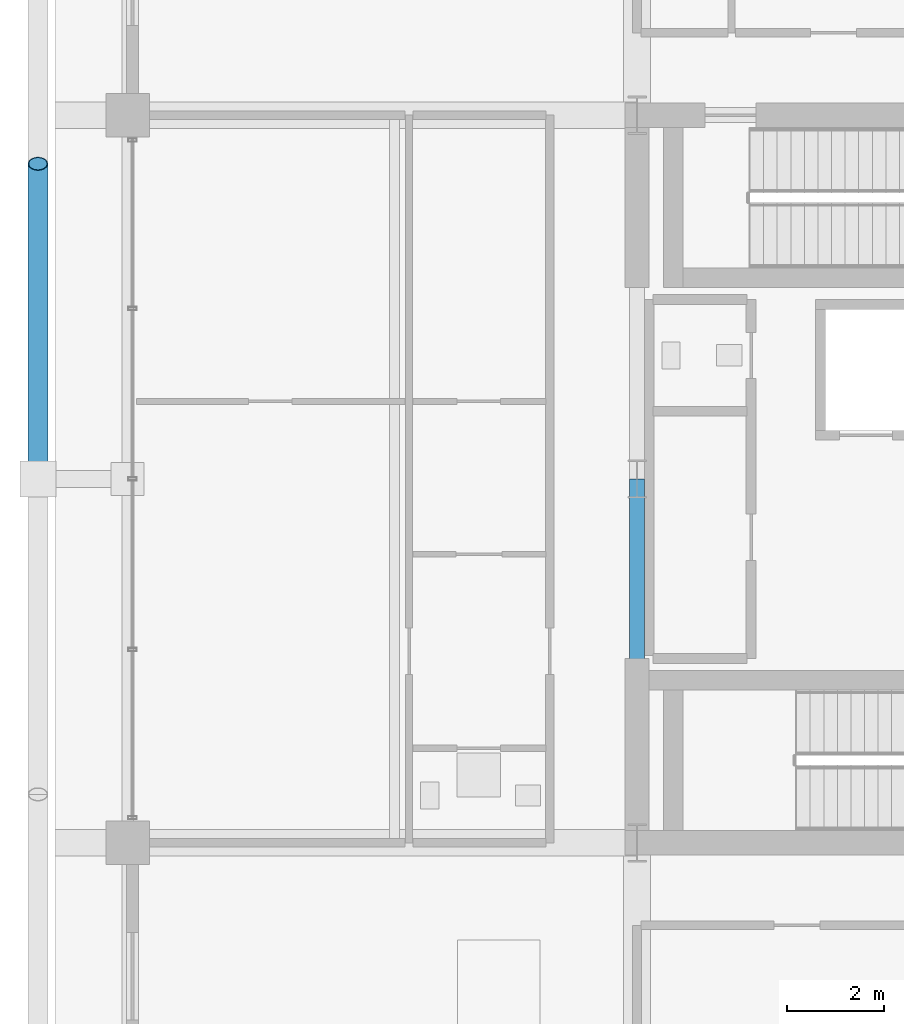
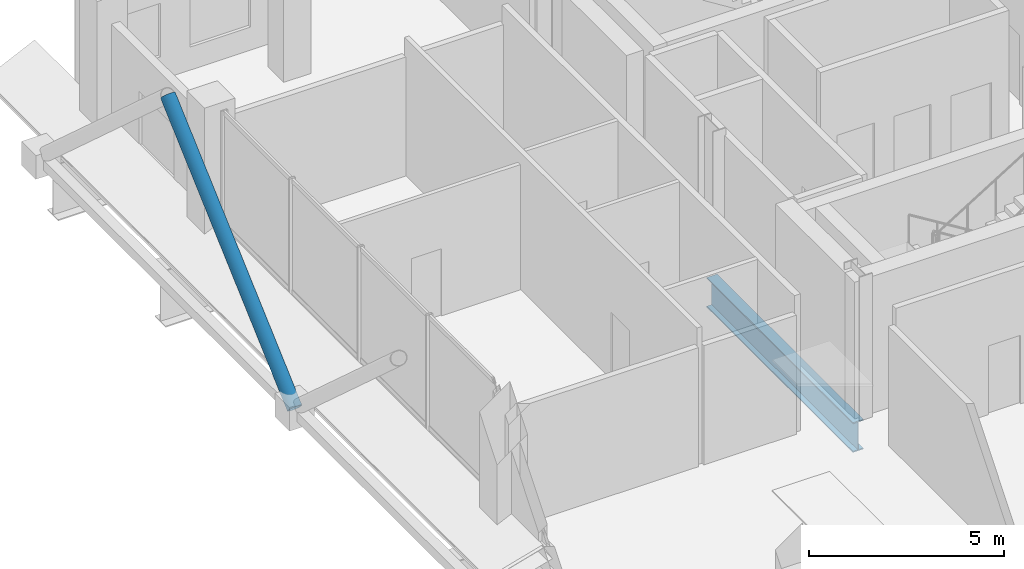
# One storey, part 10 of 27: 1 beam, 1 member.
"""IFC4 building model written with IfcOpenShell, lengths in metres."""

from ifc_helpers import new_model, si_unit, direction, frame, origin, origin_2d, place, context, subcontext, project, spatial, hollow_circle, i_section, extrude, material, material_profile, profile_set, type_object, element, save


model = new_model("IFC4")

# Units and contexts
model_context = context("Model", 3, precision=1e-05, world=origin(), true_north=direction((0.0, 1.0)))
body_context = subcontext(model_context, "Body", "Model", "MODEL_VIEW")
ifc_project = project(units=[si_unit("LENGTHUNIT", "METRE"), si_unit("AREAUNIT", "SQUARE_METRE"), si_unit("VOLUMEUNIT", "CUBIC_METRE"), si_unit("PLANEANGLEUNIT", "RADIAN"), si_unit("MASSUNIT", "GRAM", prefix="KILO")], contexts=[model_context])

# Site, building, storey
site_placement = place(None, origin())
site = spatial("IfcSite", under=ifc_project, at=site_placement, CompositionType="ELEMENT")
building_placement = place(site_placement, origin())
building = spatial("IfcBuilding", under=site, at=building_placement, Name="Barlavira Tower and Art Museum", CompositionType="ELEMENT")
storey_placement = place(building_placement, frame((0.0, 0.0, 217.800048828125)))
storey = spatial("IfcBuildingStorey", under=building, at=storey_placement, Name="L56", CompositionType="ELEMENT", Elevation=217.800048828125)

# Member
ifc_material = material(Name="Steel S355", Category="steel")
ifc_material_profile_1 = material_profile(ifc_material, hollow_circle(Radius=0.203125, WallThickness=0.01611328125, at=origin_2d()), Name="CHS 406.4x16.0")
ifc_profile_set_1 = profile_set([ifc_material_profile_1], Name="Steel S355")
member_type = type_object("IfcMemberType", Name="Pale-Metal Exoskeleton Diagrid Tube CHS 406x16 Steel S355", PredefinedType="BRACE", material=ifc_profile_set_1)
member_placement = place(storey_placement, frame((-18.85009765625, 0.0, -0.1201171875), z_axis=(0.0, 0.743288593472, 0.668970901321), x_axis=(-1.0, 0.0, 0.0)))
element("IfcMember", 1, at=member_placement, inside=storey, type_object=member_type, Name="L56 Exoskeleton Diagrid Tube W", PredefinedType="BRACE", context=body_context, shape_type="SweptSolid", body=[
    extrude(hollow_circle(Radius=0.203125, WallThickness=0.01611328125, at=origin_2d()), origin(), (0.0, 0.0, 1.0), 8.744873046875),
])

# Beam
ifc_material_profile_2 = material_profile(ifc_material, i_section(OverallWidth=0.30908203125, OverallDepth=0.931884765625, WebThickness=0.01953125, FlangeThickness=0.034423828125, at=origin_2d()), Name="W920x313.0")
ifc_profile_set_2 = profile_set([ifc_material_profile_2], Name="Steel S355")
beam_type = type_object("IfcBeamType", Name="Setback Ring Girder W920x313 Steel S355", PredefinedType="BEAM", material=ifc_profile_set_2)
beam_placement = place(storey_placement, frame((-6.5, -7.5, -0.76611328125), z_axis=(0.0, 1.0, 0.0), x_axis=(-1.0, 0.0, 0.0)))
element("IfcBeam", 2, at=beam_placement, inside=storey, type_object=beam_type, Name="L56 Girder C-W1", PredefinedType="BEAM", context=body_context, shape_type="SweptSolid", body=[
    extrude(i_section(OverallWidth=0.30908203125, OverallDepth=0.931884765625, WebThickness=0.01953125, FlangeThickness=0.034423828125, at=origin_2d()), origin(), (0.0, 0.0, 1.0), 7.5),
])

save(model, "model.ifc")
